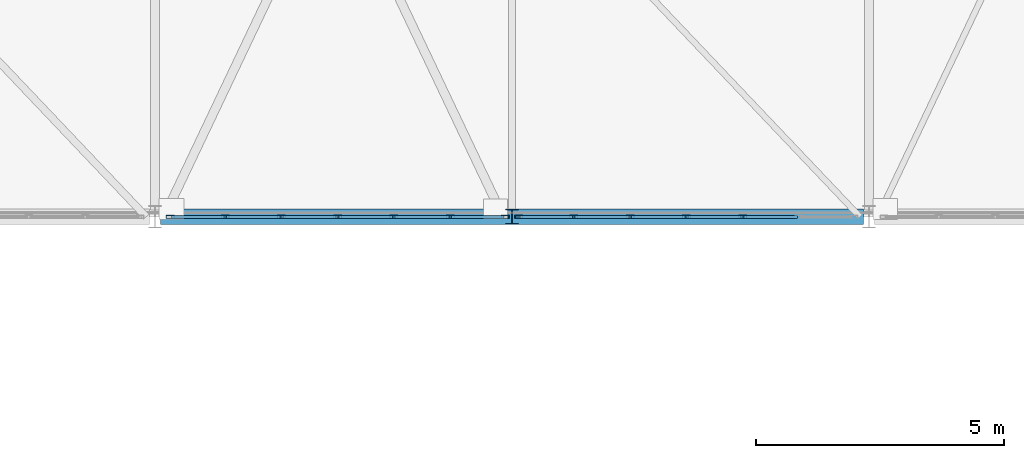
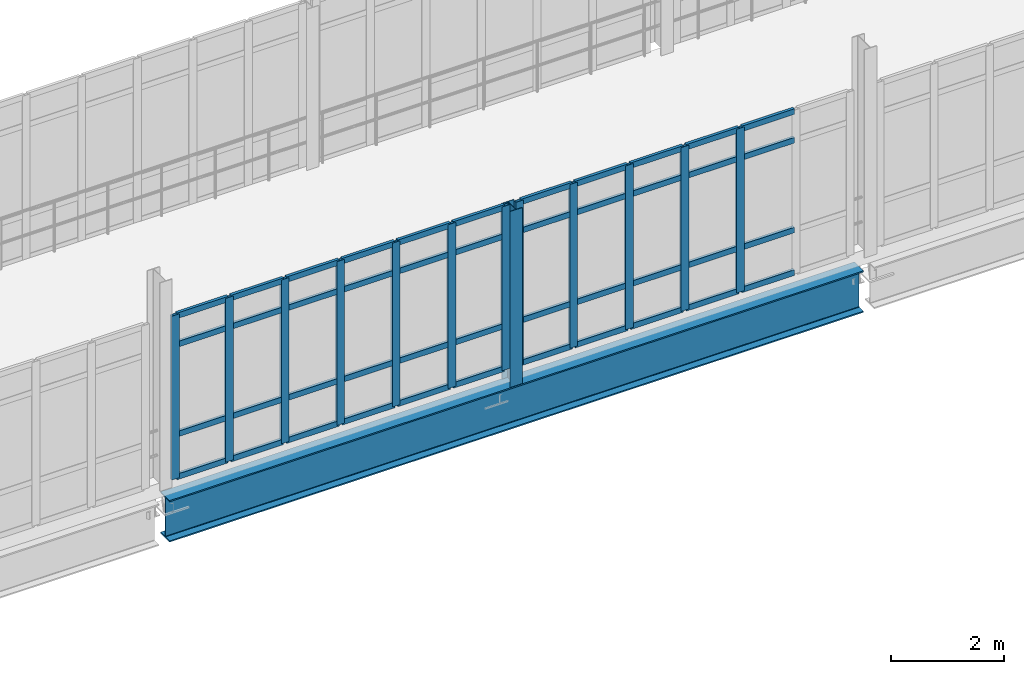
# One storey, part 21 of 124: 57 members, 1 beam, 2 elements without a shape of their own.
"""IFC4 building model written with IfcOpenShell, lengths in metres."""

from ifc_helpers import new_model, si_unit, direction, frame, origin, origin_2d, place, context, subcontext, project, spatial, hollow_rectangle, i_section, extrude, material, material_profile, profile_set, type_object, element, aggregate, save


model = new_model("IFC4")

# Units and contexts
model_context = context("Model", 3, precision=1e-05, world=origin(), true_north=direction((0.0, 1.0)))
body_context = subcontext(model_context, "Body", "Model", "MODEL_VIEW")
ifc_project = project(units=[si_unit("LENGTHUNIT", "METRE"), si_unit("AREAUNIT", "SQUARE_METRE"), si_unit("VOLUMEUNIT", "CUBIC_METRE"), si_unit("PLANEANGLEUNIT", "RADIAN"), si_unit("MASSUNIT", "GRAM", prefix="KILO")], contexts=[model_context])

# Site, building, storey
site_placement = place(None, origin())
site = spatial("IfcSite", under=ifc_project, at=site_placement, CompositionType="ELEMENT")
building_placement = place(site_placement, origin())
building = spatial("IfcBuilding", under=site, at=building_placement, Name="Kalluvel Institute of Natural Sciences", CompositionType="ELEMENT")
storey_placement = place(building_placement, frame((0.0, 0.0, 9.89990234375)))
storey = spatial("IfcBuildingStorey", under=building, at=storey_placement, Name="L02", CompositionType="ELEMENT", Elevation=9.89990234375)

# Beam
ifc_material_1 = material(Name="Steel E350 Grade 350", Category="steel")
ifc_material_profile_1 = material_profile(ifc_material_1, i_section(OverallWidth=0.320068359375, OverallDepth=0.89990234375, WebThickness=0.01611328125, FlangeThickness=0.028076171875, FilletRadius=0.01806640625, at=origin_2d()), Name="WPG 900x320")
ifc_profile_set_1 = profile_set([ifc_material_profile_1], Name="Steel E350 Grade 350")
beam_type = type_object("IfcBeamType", Name="BM-WPG900", PredefinedType="BEAM", material=ifc_profile_set_1)
beam_placement = place(storey_placement, frame((64.510009765625, 28.39990234375, -0.77001953125), z_axis=(1.0, 0.0, 0.0), x_axis=(0.0, 1.0, 0.0)))
element("IfcBeam", 1, at=beam_placement, inside=storey, type_object=beam_type, Name="L02 link bridge main plate-girder chord 3", PredefinedType="BEAM", context=body_context, shape_type="SweptSolid", body=[
    extrude(i_section(OverallWidth=0.320068359375, OverallDepth=0.89990234375, WebThickness=0.01611328125, FlangeThickness=0.028076171875, FilletRadius=0.01806640625, at=origin_2d()), origin(), (0.0, 0.0, 1.0), 14.179931640625),
])

# Curtain wall, members
ifc_material_2 = material(Name="Aluminium AW-6063 T6", Category="aluminium")
curtain_wall_type = type_object("IfcCurtainWallType", Name="CW-BRG-45", PredefinedType="USERDEFINED", material=ifc_material_2)
curtain_wall_1_placement = place(storey_placement, origin())
curtain_wall_1 = element("IfcCurtainWall", 2, at=curtain_wall_1_placement, inside=storey, type_object=curtain_wall_type, Name="L02 Gothic lancet curtain wall CWA-L02-X647-Y284", ObjectType="UNITISED LANCET FACADE", PredefinedType="USERDEFINED")
ifc_material_profile_2 = material_profile(ifc_material_2, hollow_rectangle(XDim=0.06005859375, YDim=0.159912109375, WallThickness=0.00390625, at=origin_2d()), Name="CWM 60x160")
ifc_profile_set_2 = profile_set([ifc_material_profile_2], Name="Aluminium AW-6063 T6")
member_type_1 = type_object("IfcMemberType", Name="CWM-60x160", PredefinedType="MULLION", material=ifc_profile_set_2)
member_1_placement = place(storey_placement, frame((64.705078125, 28.39990234375, 0.0), z_axis=(0.0, 0.0, 1.0), x_axis=(0.0, 1.0, 0.0)))
member_1 = element("IfcMember", 3, at=member_1_placement, type_object=member_type_1, Name="CW-07 mullion 1", PredefinedType="MULLION", context=body_context, shape_type="SweptSolid", body=[
    extrude(hollow_rectangle(XDim=0.06005859375, YDim=0.159912109375, WallThickness=0.00390625, at=origin_2d()), origin(), (0.0, 0.0, 1.0), 3.5400390625),
])
member_2_placement = place(storey_placement, frame((65.810791015625, 28.39990234375, 0.0), z_axis=(0.0, 0.0, 1.0), x_axis=(0.0, 1.0, 0.0)))
member_2 = element("IfcMember", 4, at=member_2_placement, type_object=member_type_1, Name="CW-07 mullion 2", PredefinedType="MULLION", context=body_context, shape_type="SweptSolid", body=[
    extrude(hollow_rectangle(XDim=0.06005859375, YDim=0.159912109375, WallThickness=0.00390625, at=origin_2d()), origin(), (0.0, 0.0, 1.0), 3.5400390625),
])
member_3_placement = place(storey_placement, frame((66.94677734375, 28.39990234375, 0.0), z_axis=(0.0, 0.0, 1.0), x_axis=(0.0, 1.0, 0.0)))
member_3 = element("IfcMember", 5, at=member_3_placement, type_object=member_type_1, Name="CW-07 mullion 3", PredefinedType="MULLION", context=body_context, shape_type="SweptSolid", body=[
    extrude(hollow_rectangle(XDim=0.06005859375, YDim=0.159912109375, WallThickness=0.00390625, at=origin_2d()), origin(), (0.0, 0.0, 1.0), 3.5400390625),
])
member_4_placement = place(storey_placement, frame((68.08251953125, 28.39990234375, 0.0), z_axis=(0.0, 0.0, 1.0), x_axis=(0.0, 1.0, 0.0)))
member_4 = element("IfcMember", 6, at=member_4_placement, type_object=member_type_1, Name="CW-07 mullion 4", PredefinedType="MULLION", context=body_context, shape_type="SweptSolid", body=[
    extrude(hollow_rectangle(XDim=0.06005859375, YDim=0.159912109375, WallThickness=0.00390625, at=origin_2d()), origin(), (0.0, 0.0, 1.0), 3.5400390625),
])
member_5_placement = place(storey_placement, frame((69.21826171875, 28.39990234375, 0.0), z_axis=(0.0, 0.0, 1.0), x_axis=(0.0, 1.0, 0.0)))
member_5 = element("IfcMember", 7, at=member_5_placement, type_object=member_type_1, Name="CW-07 mullion 5", PredefinedType="MULLION", context=body_context, shape_type="SweptSolid", body=[
    extrude(hollow_rectangle(XDim=0.06005859375, YDim=0.159912109375, WallThickness=0.00390625, at=origin_2d()), origin(), (0.0, 0.0, 1.0), 3.5400390625),
])
member_6_placement = place(storey_placement, frame((70.354248046875, 28.39990234375, 0.0), z_axis=(0.0, 0.0, 1.0), x_axis=(0.0, 1.0, 0.0)))
member_6 = element("IfcMember", 8, at=member_6_placement, type_object=member_type_1, Name="CW-07 mullion 6", PredefinedType="MULLION", context=body_context, shape_type="SweptSolid", body=[
    extrude(hollow_rectangle(XDim=0.06005859375, YDim=0.159912109375, WallThickness=0.00390625, at=origin_2d()), origin(), (0.0, 0.0, 1.0), 3.5400390625),
])
member_7_placement = place(storey_placement, frame((71.4599609375, 28.39990234375, 0.0), z_axis=(0.0, 0.0, 1.0), x_axis=(0.0, 1.0, 0.0)))
member_7 = element("IfcMember", 9, at=member_7_placement, type_object=member_type_1, Name="CW-07 mullion 7", PredefinedType="MULLION", context=body_context, shape_type="SweptSolid", body=[
    extrude(hollow_rectangle(XDim=0.06005859375, YDim=0.159912109375, WallThickness=0.00390625, at=origin_2d()), origin(), (0.0, 0.0, 1.0), 3.5400390625),
])

curtain_wall_2_placement = place(storey_placement, origin())
curtain_wall_2 = element("IfcCurtainWall", 10, at=curtain_wall_2_placement, inside=storey, type_object=curtain_wall_type, Name="L02 Gothic lancet curtain wall CWA-L02-X717-Y284", ObjectType="UNITISED LANCET FACADE", PredefinedType="USERDEFINED")
member_8_placement = place(storey_placement, frame((71.739990234375, 28.39990234375, 0.0), z_axis=(0.0, 0.0, 1.0), x_axis=(0.0, 1.0, 0.0)))
member_8 = element("IfcMember", 11, at=member_8_placement, type_object=member_type_1, Name="CW-07 mullion 1", PredefinedType="MULLION", context=body_context, shape_type="SweptSolid", body=[
    extrude(hollow_rectangle(XDim=0.06005859375, YDim=0.159912109375, WallThickness=0.00390625, at=origin_2d()), origin(), (0.0, 0.0, 1.0), 3.5400390625),
])
member_9_placement = place(storey_placement, frame((72.845947265625, 28.39990234375, 0.0), z_axis=(0.0, 0.0, 1.0), x_axis=(0.0, 1.0, 0.0)))
member_9 = element("IfcMember", 12, at=member_9_placement, type_object=member_type_1, Name="CW-07 mullion 2", PredefinedType="MULLION", context=body_context, shape_type="SweptSolid", body=[
    extrude(hollow_rectangle(XDim=0.06005859375, YDim=0.159912109375, WallThickness=0.00390625, at=origin_2d()), origin(), (0.0, 0.0, 1.0), 3.5400390625),
])
member_10_placement = place(storey_placement, frame((73.981689453125, 28.39990234375, 0.0), z_axis=(0.0, 0.0, 1.0), x_axis=(0.0, 1.0, 0.0)))
member_10 = element("IfcMember", 13, at=member_10_placement, type_object=member_type_1, Name="CW-07 mullion 3", PredefinedType="MULLION", context=body_context, shape_type="SweptSolid", body=[
    extrude(hollow_rectangle(XDim=0.06005859375, YDim=0.159912109375, WallThickness=0.00390625, at=origin_2d()), origin(), (0.0, 0.0, 1.0), 3.5400390625),
])
member_11_placement = place(storey_placement, frame((75.117431640625, 28.39990234375, 0.0), z_axis=(0.0, 0.0, 1.0), x_axis=(0.0, 1.0, 0.0)))
member_11 = element("IfcMember", 14, at=member_11_placement, type_object=member_type_1, Name="CW-07 mullion 4", PredefinedType="MULLION", context=body_context, shape_type="SweptSolid", body=[
    extrude(hollow_rectangle(XDim=0.06005859375, YDim=0.159912109375, WallThickness=0.00390625, at=origin_2d()), origin(), (0.0, 0.0, 1.0), 3.5400390625),
])
member_12_placement = place(storey_placement, frame((76.25341796875, 28.39990234375, 0.0), z_axis=(0.0, 0.0, 1.0), x_axis=(0.0, 1.0, 0.0)))
member_12 = element("IfcMember", 15, at=member_12_placement, type_object=member_type_1, Name="CW-07 mullion 5", PredefinedType="MULLION", context=body_context, shape_type="SweptSolid", body=[
    extrude(hollow_rectangle(XDim=0.06005859375, YDim=0.159912109375, WallThickness=0.00390625, at=origin_2d()), origin(), (0.0, 0.0, 1.0), 3.5400390625),
])

# Member
ifc_material_profile_3 = material_profile(ifc_material_2, hollow_rectangle(XDim=0.06005859375, YDim=0.1201171875, WallThickness=0.00390625, at=origin_2d()), Name="CWT 60x120")
ifc_profile_set_3 = profile_set([ifc_material_profile_3], Name="Aluminium AW-6063 T6")
member_type_2 = type_object("IfcMemberType", Name="CWT-60x120", PredefinedType="USERDEFINED", material=ifc_profile_set_3)
member_13_placement = place(storey_placement, frame((64.735107421875, 28.39990234375, 0.030029296875), z_axis=(1.0, 0.0, 0.0), x_axis=(0.0, 1.0, 0.0)))
member_13 = element("IfcMember", 16, at=member_13_placement, type_object=member_type_2, Name="CW-07 transom 1.1", ObjectType="TRANSOM", PredefinedType="USERDEFINED", context=body_context, shape_type="SweptSolid", body=[
    extrude(hollow_rectangle(XDim=0.06005859375, YDim=0.1201171875, WallThickness=0.00390625, at=origin_2d()), origin(), (0.0, 0.0, 1.0), 1.045654296875),
])

member_14_placement = place(storey_placement, frame((64.735107421875, 28.39990234375, 0.9501953125), z_axis=(1.0, 0.0, 0.0), x_axis=(0.0, 1.0, 0.0)))
member_14 = element("IfcMember", 17, at=member_14_placement, type_object=member_type_2, Name="CW-07 transom 1.2", ObjectType="TRANSOM", PredefinedType="USERDEFINED", context=body_context, shape_type="SweptSolid", body=[
    extrude(hollow_rectangle(XDim=0.06005859375, YDim=0.1201171875, WallThickness=0.00390625, at=origin_2d()), origin(), (0.0, 0.0, 1.0), 1.045654296875),
])

member_15_placement = place(storey_placement, frame((64.735107421875, 28.39990234375, 2.89013671875), z_axis=(1.0, 0.0, 0.0), x_axis=(0.0, 1.0, 0.0)))
member_15 = element("IfcMember", 18, at=member_15_placement, type_object=member_type_2, Name="CW-07 transom 1.3", ObjectType="TRANSOM", PredefinedType="USERDEFINED", context=body_context, shape_type="SweptSolid", body=[
    extrude(hollow_rectangle(XDim=0.06005859375, YDim=0.1201171875, WallThickness=0.00390625, at=origin_2d()), origin(), (0.0, 0.0, 1.0), 1.045654296875),
])

member_16_placement = place(storey_placement, frame((64.735107421875, 28.39990234375, 3.510009765625), z_axis=(1.0, 0.0, 0.0), x_axis=(0.0, 1.0, 0.0)))
member_16 = element("IfcMember", 19, at=member_16_placement, type_object=member_type_2, Name="CW-07 transom 1.4", ObjectType="TRANSOM", PredefinedType="USERDEFINED", context=body_context, shape_type="SweptSolid", body=[
    extrude(hollow_rectangle(XDim=0.06005859375, YDim=0.1201171875, WallThickness=0.00390625, at=origin_2d()), origin(), (0.0, 0.0, 1.0), 1.045654296875),
])

member_17_placement = place(storey_placement, frame((65.8408203125, 28.39990234375, 0.030029296875), z_axis=(1.0, 0.0, 0.0), x_axis=(0.0, 1.0, 0.0)))
member_17 = element("IfcMember", 20, at=member_17_placement, type_object=member_type_2, Name="CW-07 transom 2.1", ObjectType="TRANSOM", PredefinedType="USERDEFINED", context=body_context, shape_type="SweptSolid", body=[
    extrude(hollow_rectangle(XDim=0.06005859375, YDim=0.1201171875, WallThickness=0.00390625, at=origin_2d()), origin(), (0.0, 0.0, 1.0), 1.075927734375),
])

member_18_placement = place(storey_placement, frame((65.8408203125, 28.39990234375, 0.9501953125), z_axis=(1.0, 0.0, 0.0), x_axis=(0.0, 1.0, 0.0)))
member_18 = element("IfcMember", 21, at=member_18_placement, type_object=member_type_2, Name="CW-07 transom 2.2", ObjectType="TRANSOM", PredefinedType="USERDEFINED", context=body_context, shape_type="SweptSolid", body=[
    extrude(hollow_rectangle(XDim=0.06005859375, YDim=0.1201171875, WallThickness=0.00390625, at=origin_2d()), origin(), (0.0, 0.0, 1.0), 1.075927734375),
])

member_19_placement = place(storey_placement, frame((65.8408203125, 28.39990234375, 2.89013671875), z_axis=(1.0, 0.0, 0.0), x_axis=(0.0, 1.0, 0.0)))
member_19 = element("IfcMember", 22, at=member_19_placement, type_object=member_type_2, Name="CW-07 transom 2.3", ObjectType="TRANSOM", PredefinedType="USERDEFINED", context=body_context, shape_type="SweptSolid", body=[
    extrude(hollow_rectangle(XDim=0.06005859375, YDim=0.1201171875, WallThickness=0.00390625, at=origin_2d()), origin(), (0.0, 0.0, 1.0), 1.075927734375),
])

member_20_placement = place(storey_placement, frame((65.8408203125, 28.39990234375, 3.510009765625), z_axis=(1.0, 0.0, 0.0), x_axis=(0.0, 1.0, 0.0)))
member_20 = element("IfcMember", 23, at=member_20_placement, type_object=member_type_2, Name="CW-07 transom 2.4", ObjectType="TRANSOM", PredefinedType="USERDEFINED", context=body_context, shape_type="SweptSolid", body=[
    extrude(hollow_rectangle(XDim=0.06005859375, YDim=0.1201171875, WallThickness=0.00390625, at=origin_2d()), origin(), (0.0, 0.0, 1.0), 1.075927734375),
])

member_21_placement = place(storey_placement, frame((66.9765625, 28.39990234375, 0.030029296875), z_axis=(1.0, 0.0, 0.0), x_axis=(0.0, 1.0, 0.0)))
member_21 = element("IfcMember", 24, at=member_21_placement, type_object=member_type_2, Name="CW-07 transom 3.1", ObjectType="TRANSOM", PredefinedType="USERDEFINED", context=body_context, shape_type="SweptSolid", body=[
    extrude(hollow_rectangle(XDim=0.06005859375, YDim=0.1201171875, WallThickness=0.00390625, at=origin_2d()), origin(), (0.0, 0.0, 1.0), 1.075927734375),
])

member_22_placement = place(storey_placement, frame((66.9765625, 28.39990234375, 0.9501953125), z_axis=(1.0, 0.0, 0.0), x_axis=(0.0, 1.0, 0.0)))
member_22 = element("IfcMember", 25, at=member_22_placement, type_object=member_type_2, Name="CW-07 transom 3.2", ObjectType="TRANSOM", PredefinedType="USERDEFINED", context=body_context, shape_type="SweptSolid", body=[
    extrude(hollow_rectangle(XDim=0.06005859375, YDim=0.1201171875, WallThickness=0.00390625, at=origin_2d()), origin(), (0.0, 0.0, 1.0), 1.075927734375),
])

member_23_placement = place(storey_placement, frame((66.9765625, 28.39990234375, 2.89013671875), z_axis=(1.0, 0.0, 0.0), x_axis=(0.0, 1.0, 0.0)))
member_23 = element("IfcMember", 26, at=member_23_placement, type_object=member_type_2, Name="CW-07 transom 3.3", ObjectType="TRANSOM", PredefinedType="USERDEFINED", context=body_context, shape_type="SweptSolid", body=[
    extrude(hollow_rectangle(XDim=0.06005859375, YDim=0.1201171875, WallThickness=0.00390625, at=origin_2d()), origin(), (0.0, 0.0, 1.0), 1.075927734375),
])

member_24_placement = place(storey_placement, frame((66.9765625, 28.39990234375, 3.510009765625), z_axis=(1.0, 0.0, 0.0), x_axis=(0.0, 1.0, 0.0)))
member_24 = element("IfcMember", 27, at=member_24_placement, type_object=member_type_2, Name="CW-07 transom 3.4", ObjectType="TRANSOM", PredefinedType="USERDEFINED", context=body_context, shape_type="SweptSolid", body=[
    extrude(hollow_rectangle(XDim=0.06005859375, YDim=0.1201171875, WallThickness=0.00390625, at=origin_2d()), origin(), (0.0, 0.0, 1.0), 1.075927734375),
])

member_25_placement = place(storey_placement, frame((68.112548828125, 28.39990234375, 0.030029296875), z_axis=(1.0, 0.0, 0.0), x_axis=(0.0, 1.0, 0.0)))
member_25 = element("IfcMember", 28, at=member_25_placement, type_object=member_type_2, Name="CW-07 transom 4.1", ObjectType="TRANSOM", PredefinedType="USERDEFINED", context=body_context, shape_type="SweptSolid", body=[
    extrude(hollow_rectangle(XDim=0.06005859375, YDim=0.1201171875, WallThickness=0.00390625, at=origin_2d()), origin(), (0.0, 0.0, 1.0), 1.07568359375),
])

member_26_placement = place(storey_placement, frame((68.112548828125, 28.39990234375, 0.9501953125), z_axis=(1.0, 0.0, 0.0), x_axis=(0.0, 1.0, 0.0)))
member_26 = element("IfcMember", 29, at=member_26_placement, type_object=member_type_2, Name="CW-07 transom 4.2", ObjectType="TRANSOM", PredefinedType="USERDEFINED", context=body_context, shape_type="SweptSolid", body=[
    extrude(hollow_rectangle(XDim=0.06005859375, YDim=0.1201171875, WallThickness=0.00390625, at=origin_2d()), origin(), (0.0, 0.0, 1.0), 1.07568359375),
])

member_27_placement = place(storey_placement, frame((68.112548828125, 28.39990234375, 2.89013671875), z_axis=(1.0, 0.0, 0.0), x_axis=(0.0, 1.0, 0.0)))
member_27 = element("IfcMember", 30, at=member_27_placement, type_object=member_type_2, Name="CW-07 transom 4.3", ObjectType="TRANSOM", PredefinedType="USERDEFINED", context=body_context, shape_type="SweptSolid", body=[
    extrude(hollow_rectangle(XDim=0.06005859375, YDim=0.1201171875, WallThickness=0.00390625, at=origin_2d()), origin(), (0.0, 0.0, 1.0), 1.07568359375),
])

member_28_placement = place(storey_placement, frame((68.112548828125, 28.39990234375, 3.510009765625), z_axis=(1.0, 0.0, 0.0), x_axis=(0.0, 1.0, 0.0)))
member_28 = element("IfcMember", 31, at=member_28_placement, type_object=member_type_2, Name="CW-07 transom 4.4", ObjectType="TRANSOM", PredefinedType="USERDEFINED", context=body_context, shape_type="SweptSolid", body=[
    extrude(hollow_rectangle(XDim=0.06005859375, YDim=0.1201171875, WallThickness=0.00390625, at=origin_2d()), origin(), (0.0, 0.0, 1.0), 1.07568359375),
])

member_29_placement = place(storey_placement, frame((69.248291015625, 28.39990234375, 0.030029296875), z_axis=(1.0, 0.0, 0.0), x_axis=(0.0, 1.0, 0.0)))
member_29 = element("IfcMember", 32, at=member_29_placement, type_object=member_type_2, Name="CW-07 transom 5.1", ObjectType="TRANSOM", PredefinedType="USERDEFINED", context=body_context, shape_type="SweptSolid", body=[
    extrude(hollow_rectangle(XDim=0.06005859375, YDim=0.1201171875, WallThickness=0.00390625, at=origin_2d()), origin(), (0.0, 0.0, 1.0), 1.075927734375),
])

member_30_placement = place(storey_placement, frame((69.248291015625, 28.39990234375, 0.9501953125), z_axis=(1.0, 0.0, 0.0), x_axis=(0.0, 1.0, 0.0)))
member_30 = element("IfcMember", 33, at=member_30_placement, type_object=member_type_2, Name="CW-07 transom 5.2", ObjectType="TRANSOM", PredefinedType="USERDEFINED", context=body_context, shape_type="SweptSolid", body=[
    extrude(hollow_rectangle(XDim=0.06005859375, YDim=0.1201171875, WallThickness=0.00390625, at=origin_2d()), origin(), (0.0, 0.0, 1.0), 1.075927734375),
])

member_31_placement = place(storey_placement, frame((69.248291015625, 28.39990234375, 2.89013671875), z_axis=(1.0, 0.0, 0.0), x_axis=(0.0, 1.0, 0.0)))
member_31 = element("IfcMember", 34, at=member_31_placement, type_object=member_type_2, Name="CW-07 transom 5.3", ObjectType="TRANSOM", PredefinedType="USERDEFINED", context=body_context, shape_type="SweptSolid", body=[
    extrude(hollow_rectangle(XDim=0.06005859375, YDim=0.1201171875, WallThickness=0.00390625, at=origin_2d()), origin(), (0.0, 0.0, 1.0), 1.075927734375),
])

member_32_placement = place(storey_placement, frame((69.248291015625, 28.39990234375, 3.510009765625), z_axis=(1.0, 0.0, 0.0), x_axis=(0.0, 1.0, 0.0)))
member_32 = element("IfcMember", 35, at=member_32_placement, type_object=member_type_2, Name="CW-07 transom 5.4", ObjectType="TRANSOM", PredefinedType="USERDEFINED", context=body_context, shape_type="SweptSolid", body=[
    extrude(hollow_rectangle(XDim=0.06005859375, YDim=0.1201171875, WallThickness=0.00390625, at=origin_2d()), origin(), (0.0, 0.0, 1.0), 1.075927734375),
])

member_33_placement = place(storey_placement, frame((70.38427734375, 28.39990234375, 0.030029296875), z_axis=(1.0, 0.0, 0.0), x_axis=(0.0, 1.0, 0.0)))
member_33 = element("IfcMember", 36, at=member_33_placement, type_object=member_type_2, Name="CW-07 transom 6.1", ObjectType="TRANSOM", PredefinedType="USERDEFINED", context=body_context, shape_type="SweptSolid", body=[
    extrude(hollow_rectangle(XDim=0.06005859375, YDim=0.1201171875, WallThickness=0.00390625, at=origin_2d()), origin(), (0.0, 0.0, 1.0), 1.045654296875),
])

member_34_placement = place(storey_placement, frame((70.38427734375, 28.39990234375, 0.9501953125), z_axis=(1.0, 0.0, 0.0), x_axis=(0.0, 1.0, 0.0)))
member_34 = element("IfcMember", 37, at=member_34_placement, type_object=member_type_2, Name="CW-07 transom 6.2", ObjectType="TRANSOM", PredefinedType="USERDEFINED", context=body_context, shape_type="SweptSolid", body=[
    extrude(hollow_rectangle(XDim=0.06005859375, YDim=0.1201171875, WallThickness=0.00390625, at=origin_2d()), origin(), (0.0, 0.0, 1.0), 1.045654296875),
])

member_35_placement = place(storey_placement, frame((70.38427734375, 28.39990234375, 2.89013671875), z_axis=(1.0, 0.0, 0.0), x_axis=(0.0, 1.0, 0.0)))
member_35 = element("IfcMember", 38, at=member_35_placement, type_object=member_type_2, Name="CW-07 transom 6.3", ObjectType="TRANSOM", PredefinedType="USERDEFINED", context=body_context, shape_type="SweptSolid", body=[
    extrude(hollow_rectangle(XDim=0.06005859375, YDim=0.1201171875, WallThickness=0.00390625, at=origin_2d()), origin(), (0.0, 0.0, 1.0), 1.045654296875),
])

member_36_placement = place(storey_placement, frame((70.38427734375, 28.39990234375, 3.510009765625), z_axis=(1.0, 0.0, 0.0), x_axis=(0.0, 1.0, 0.0)))
member_36 = element("IfcMember", 39, at=member_36_placement, type_object=member_type_2, Name="CW-07 transom 6.4", ObjectType="TRANSOM", PredefinedType="USERDEFINED", context=body_context, shape_type="SweptSolid", body=[
    extrude(hollow_rectangle(XDim=0.06005859375, YDim=0.1201171875, WallThickness=0.00390625, at=origin_2d()), origin(), (0.0, 0.0, 1.0), 1.045654296875),
])

aggregate(curtain_wall_1, [member_1, member_2, member_3, member_4, member_5, member_6, member_7, member_13, member_14, member_15, member_16, member_17, member_18, member_19, member_20, member_21, member_22, member_23, member_24, member_25, member_26, member_27, member_28, member_29, member_30, member_31, member_32, member_33, member_34, member_35, member_36])

member_37_placement = place(storey_placement, frame((71.77001953125, 28.39990234375, 0.030029296875), z_axis=(1.0, 0.0, 0.0), x_axis=(0.0, 1.0, 0.0)))
member_37 = element("IfcMember", 40, at=member_37_placement, type_object=member_type_2, Name="CW-07 transom 1.1", ObjectType="TRANSOM", PredefinedType="USERDEFINED", context=body_context, shape_type="SweptSolid", body=[
    extrude(hollow_rectangle(XDim=0.06005859375, YDim=0.1201171875, WallThickness=0.00390625, at=origin_2d()), origin(), (0.0, 0.0, 1.0), 1.0458984375),
])

member_38_placement = place(storey_placement, frame((71.77001953125, 28.39990234375, 0.9501953125), z_axis=(1.0, 0.0, 0.0), x_axis=(0.0, 1.0, 0.0)))
member_38 = element("IfcMember", 41, at=member_38_placement, type_object=member_type_2, Name="CW-07 transom 1.2", ObjectType="TRANSOM", PredefinedType="USERDEFINED", context=body_context, shape_type="SweptSolid", body=[
    extrude(hollow_rectangle(XDim=0.06005859375, YDim=0.1201171875, WallThickness=0.00390625, at=origin_2d()), origin(), (0.0, 0.0, 1.0), 1.0458984375),
])

member_39_placement = place(storey_placement, frame((71.77001953125, 28.39990234375, 2.89013671875), z_axis=(1.0, 0.0, 0.0), x_axis=(0.0, 1.0, 0.0)))
member_39 = element("IfcMember", 42, at=member_39_placement, type_object=member_type_2, Name="CW-07 transom 1.3", ObjectType="TRANSOM", PredefinedType="USERDEFINED", context=body_context, shape_type="SweptSolid", body=[
    extrude(hollow_rectangle(XDim=0.06005859375, YDim=0.1201171875, WallThickness=0.00390625, at=origin_2d()), origin(), (0.0, 0.0, 1.0), 1.0458984375),
])

member_40_placement = place(storey_placement, frame((71.77001953125, 28.39990234375, 3.510009765625), z_axis=(1.0, 0.0, 0.0), x_axis=(0.0, 1.0, 0.0)))
member_40 = element("IfcMember", 43, at=member_40_placement, type_object=member_type_2, Name="CW-07 transom 1.4", ObjectType="TRANSOM", PredefinedType="USERDEFINED", context=body_context, shape_type="SweptSolid", body=[
    extrude(hollow_rectangle(XDim=0.06005859375, YDim=0.1201171875, WallThickness=0.00390625, at=origin_2d()), origin(), (0.0, 0.0, 1.0), 1.0458984375),
])

member_41_placement = place(storey_placement, frame((72.875732421875, 28.39990234375, 0.030029296875), z_axis=(1.0, 0.0, 0.0), x_axis=(0.0, 1.0, 0.0)))
member_41 = element("IfcMember", 44, at=member_41_placement, type_object=member_type_2, Name="CW-07 transom 2.1", ObjectType="TRANSOM", PredefinedType="USERDEFINED", context=body_context, shape_type="SweptSolid", body=[
    extrude(hollow_rectangle(XDim=0.06005859375, YDim=0.1201171875, WallThickness=0.00390625, at=origin_2d()), origin(), (0.0, 0.0, 1.0), 1.075927734375),
])

member_42_placement = place(storey_placement, frame((72.875732421875, 28.39990234375, 0.9501953125), z_axis=(1.0, 0.0, 0.0), x_axis=(0.0, 1.0, 0.0)))
member_42 = element("IfcMember", 45, at=member_42_placement, type_object=member_type_2, Name="CW-07 transom 2.2", ObjectType="TRANSOM", PredefinedType="USERDEFINED", context=body_context, shape_type="SweptSolid", body=[
    extrude(hollow_rectangle(XDim=0.06005859375, YDim=0.1201171875, WallThickness=0.00390625, at=origin_2d()), origin(), (0.0, 0.0, 1.0), 1.075927734375),
])

member_43_placement = place(storey_placement, frame((72.875732421875, 28.39990234375, 2.89013671875), z_axis=(1.0, 0.0, 0.0), x_axis=(0.0, 1.0, 0.0)))
member_43 = element("IfcMember", 46, at=member_43_placement, type_object=member_type_2, Name="CW-07 transom 2.3", ObjectType="TRANSOM", PredefinedType="USERDEFINED", context=body_context, shape_type="SweptSolid", body=[
    extrude(hollow_rectangle(XDim=0.06005859375, YDim=0.1201171875, WallThickness=0.00390625, at=origin_2d()), origin(), (0.0, 0.0, 1.0), 1.075927734375),
])

member_44_placement = place(storey_placement, frame((72.875732421875, 28.39990234375, 3.510009765625), z_axis=(1.0, 0.0, 0.0), x_axis=(0.0, 1.0, 0.0)))
member_44 = element("IfcMember", 47, at=member_44_placement, type_object=member_type_2, Name="CW-07 transom 2.4", ObjectType="TRANSOM", PredefinedType="USERDEFINED", context=body_context, shape_type="SweptSolid", body=[
    extrude(hollow_rectangle(XDim=0.06005859375, YDim=0.1201171875, WallThickness=0.00390625, at=origin_2d()), origin(), (0.0, 0.0, 1.0), 1.075927734375),
])

member_45_placement = place(storey_placement, frame((74.01171875, 28.39990234375, 0.030029296875), z_axis=(1.0, 0.0, 0.0), x_axis=(0.0, 1.0, 0.0)))
member_45 = element("IfcMember", 48, at=member_45_placement, type_object=member_type_2, Name="CW-07 transom 3.1", ObjectType="TRANSOM", PredefinedType="USERDEFINED", context=body_context, shape_type="SweptSolid", body=[
    extrude(hollow_rectangle(XDim=0.06005859375, YDim=0.1201171875, WallThickness=0.00390625, at=origin_2d()), origin(), (0.0, 0.0, 1.0), 1.07568359375),
])

member_46_placement = place(storey_placement, frame((74.01171875, 28.39990234375, 0.9501953125), z_axis=(1.0, 0.0, 0.0), x_axis=(0.0, 1.0, 0.0)))
member_46 = element("IfcMember", 49, at=member_46_placement, type_object=member_type_2, Name="CW-07 transom 3.2", ObjectType="TRANSOM", PredefinedType="USERDEFINED", context=body_context, shape_type="SweptSolid", body=[
    extrude(hollow_rectangle(XDim=0.06005859375, YDim=0.1201171875, WallThickness=0.00390625, at=origin_2d()), origin(), (0.0, 0.0, 1.0), 1.07568359375),
])

member_47_placement = place(storey_placement, frame((74.01171875, 28.39990234375, 2.89013671875), z_axis=(1.0, 0.0, 0.0), x_axis=(0.0, 1.0, 0.0)))
member_47 = element("IfcMember", 50, at=member_47_placement, type_object=member_type_2, Name="CW-07 transom 3.3", ObjectType="TRANSOM", PredefinedType="USERDEFINED", context=body_context, shape_type="SweptSolid", body=[
    extrude(hollow_rectangle(XDim=0.06005859375, YDim=0.1201171875, WallThickness=0.00390625, at=origin_2d()), origin(), (0.0, 0.0, 1.0), 1.07568359375),
])

member_48_placement = place(storey_placement, frame((74.01171875, 28.39990234375, 3.510009765625), z_axis=(1.0, 0.0, 0.0), x_axis=(0.0, 1.0, 0.0)))
member_48 = element("IfcMember", 51, at=member_48_placement, type_object=member_type_2, Name="CW-07 transom 3.4", ObjectType="TRANSOM", PredefinedType="USERDEFINED", context=body_context, shape_type="SweptSolid", body=[
    extrude(hollow_rectangle(XDim=0.06005859375, YDim=0.1201171875, WallThickness=0.00390625, at=origin_2d()), origin(), (0.0, 0.0, 1.0), 1.07568359375),
])

member_49_placement = place(storey_placement, frame((75.1474609375, 28.39990234375, 0.030029296875), z_axis=(1.0, 0.0, 0.0), x_axis=(0.0, 1.0, 0.0)))
member_49 = element("IfcMember", 52, at=member_49_placement, type_object=member_type_2, Name="CW-07 transom 4.1", ObjectType="TRANSOM", PredefinedType="USERDEFINED", context=body_context, shape_type="SweptSolid", body=[
    extrude(hollow_rectangle(XDim=0.06005859375, YDim=0.1201171875, WallThickness=0.00390625, at=origin_2d()), origin(), (0.0, 0.0, 1.0), 1.075927734375),
])

member_50_placement = place(storey_placement, frame((75.1474609375, 28.39990234375, 0.9501953125), z_axis=(1.0, 0.0, 0.0), x_axis=(0.0, 1.0, 0.0)))
member_50 = element("IfcMember", 53, at=member_50_placement, type_object=member_type_2, Name="CW-07 transom 4.2", ObjectType="TRANSOM", PredefinedType="USERDEFINED", context=body_context, shape_type="SweptSolid", body=[
    extrude(hollow_rectangle(XDim=0.06005859375, YDim=0.1201171875, WallThickness=0.00390625, at=origin_2d()), origin(), (0.0, 0.0, 1.0), 1.075927734375),
])

member_51_placement = place(storey_placement, frame((75.1474609375, 28.39990234375, 2.89013671875), z_axis=(1.0, 0.0, 0.0), x_axis=(0.0, 1.0, 0.0)))
member_51 = element("IfcMember", 54, at=member_51_placement, type_object=member_type_2, Name="CW-07 transom 4.3", ObjectType="TRANSOM", PredefinedType="USERDEFINED", context=body_context, shape_type="SweptSolid", body=[
    extrude(hollow_rectangle(XDim=0.06005859375, YDim=0.1201171875, WallThickness=0.00390625, at=origin_2d()), origin(), (0.0, 0.0, 1.0), 1.075927734375),
])

member_52_placement = place(storey_placement, frame((75.1474609375, 28.39990234375, 3.510009765625), z_axis=(1.0, 0.0, 0.0), x_axis=(0.0, 1.0, 0.0)))
member_52 = element("IfcMember", 55, at=member_52_placement, type_object=member_type_2, Name="CW-07 transom 4.4", ObjectType="TRANSOM", PredefinedType="USERDEFINED", context=body_context, shape_type="SweptSolid", body=[
    extrude(hollow_rectangle(XDim=0.06005859375, YDim=0.1201171875, WallThickness=0.00390625, at=origin_2d()), origin(), (0.0, 0.0, 1.0), 1.075927734375),
])

member_53_placement = place(storey_placement, frame((76.283447265625, 28.39990234375, 0.030029296875), z_axis=(1.0, 0.0, 0.0), x_axis=(0.0, 1.0, 0.0)))
member_53 = element("IfcMember", 56, at=member_53_placement, type_object=member_type_2, Name="CW-07 transom 5.1", ObjectType="TRANSOM", PredefinedType="USERDEFINED", context=body_context, shape_type="SweptSolid", body=[
    extrude(hollow_rectangle(XDim=0.06005859375, YDim=0.1201171875, WallThickness=0.00390625, at=origin_2d()), origin(), (0.0, 0.0, 1.0), 1.07568359375),
])

member_54_placement = place(storey_placement, frame((76.283447265625, 28.39990234375, 0.9501953125), z_axis=(1.0, 0.0, 0.0), x_axis=(0.0, 1.0, 0.0)))
member_54 = element("IfcMember", 57, at=member_54_placement, type_object=member_type_2, Name="CW-07 transom 5.2", ObjectType="TRANSOM", PredefinedType="USERDEFINED", context=body_context, shape_type="SweptSolid", body=[
    extrude(hollow_rectangle(XDim=0.06005859375, YDim=0.1201171875, WallThickness=0.00390625, at=origin_2d()), origin(), (0.0, 0.0, 1.0), 1.07568359375),
])

member_55_placement = place(storey_placement, frame((76.283447265625, 28.39990234375, 2.89013671875), z_axis=(1.0, 0.0, 0.0), x_axis=(0.0, 1.0, 0.0)))
member_55 = element("IfcMember", 58, at=member_55_placement, type_object=member_type_2, Name="CW-07 transom 5.3", ObjectType="TRANSOM", PredefinedType="USERDEFINED", context=body_context, shape_type="SweptSolid", body=[
    extrude(hollow_rectangle(XDim=0.06005859375, YDim=0.1201171875, WallThickness=0.00390625, at=origin_2d()), origin(), (0.0, 0.0, 1.0), 1.07568359375),
])

member_56_placement = place(storey_placement, frame((76.283447265625, 28.39990234375, 3.510009765625), z_axis=(1.0, 0.0, 0.0), x_axis=(0.0, 1.0, 0.0)))
member_56 = element("IfcMember", 59, at=member_56_placement, type_object=member_type_2, Name="CW-07 transom 5.4", ObjectType="TRANSOM", PredefinedType="USERDEFINED", context=body_context, shape_type="SweptSolid", body=[
    extrude(hollow_rectangle(XDim=0.06005859375, YDim=0.1201171875, WallThickness=0.00390625, at=origin_2d()), origin(), (0.0, 0.0, 1.0), 1.07568359375),
])

aggregate(curtain_wall_2, [member_8, member_9, member_10, member_11, member_12, member_37, member_38, member_39, member_40, member_41, member_42, member_43, member_44, member_45, member_46, member_47, member_48, member_49, member_50, member_51, member_52, member_53, member_54, member_55, member_56])

ifc_material_profile_4 = material_profile(ifc_material_1, i_section(OverallWidth=0.25, OverallDepth=0.300048828125, WebThickness=0.009521484375, FlangeThickness=0.010498046875, FilletRadius=0.011962890625, at=origin_2d()), Name="ISHB 300")
ifc_profile_set_4 = profile_set([ifc_material_profile_4], Name="Steel E350 Grade 350")
member_type_3 = type_object("IfcMemberType", Name="MB-ST-ISHB300", PredefinedType="STRUT", material=ifc_profile_set_4)
member_57_placement = place(storey_placement, frame((71.60009765625, 28.39990234375, -0.31982421875), z_axis=(0.0, 0.0, 1.0), x_axis=(1.0, 0.0, 0.0)))
element("IfcMember", 60, at=member_57_placement, inside=storey, type_object=member_type_3, Name="Glazed link bridge truss post 18", PredefinedType="STRUT", context=body_context, shape_type="SweptSolid", body=[
    extrude(i_section(OverallWidth=0.25, OverallDepth=0.300048828125, WebThickness=0.009521484375, FlangeThickness=0.010498046875, FilletRadius=0.011962890625, at=origin_2d()), origin(), (0.0, 0.0, 1.0), 3.7998046875),
])

save(model, "model.ifc")
